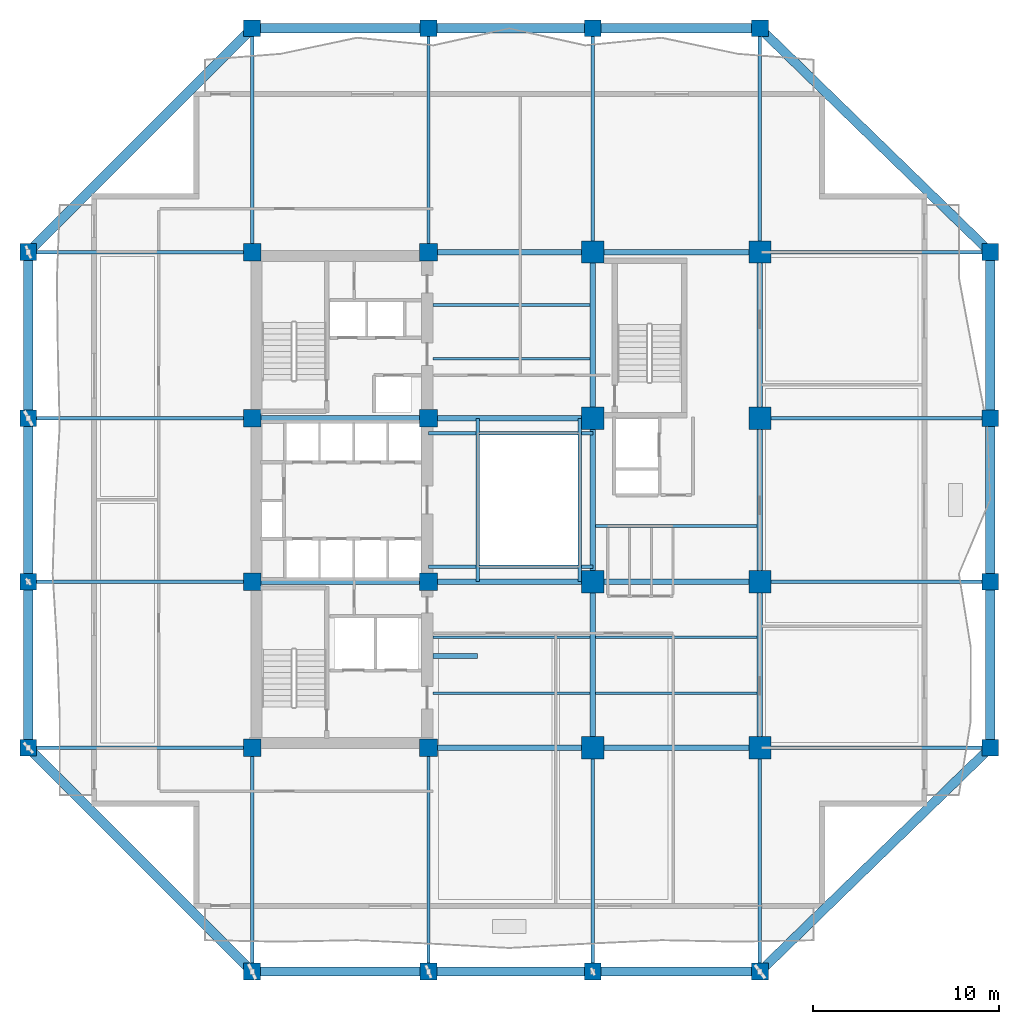
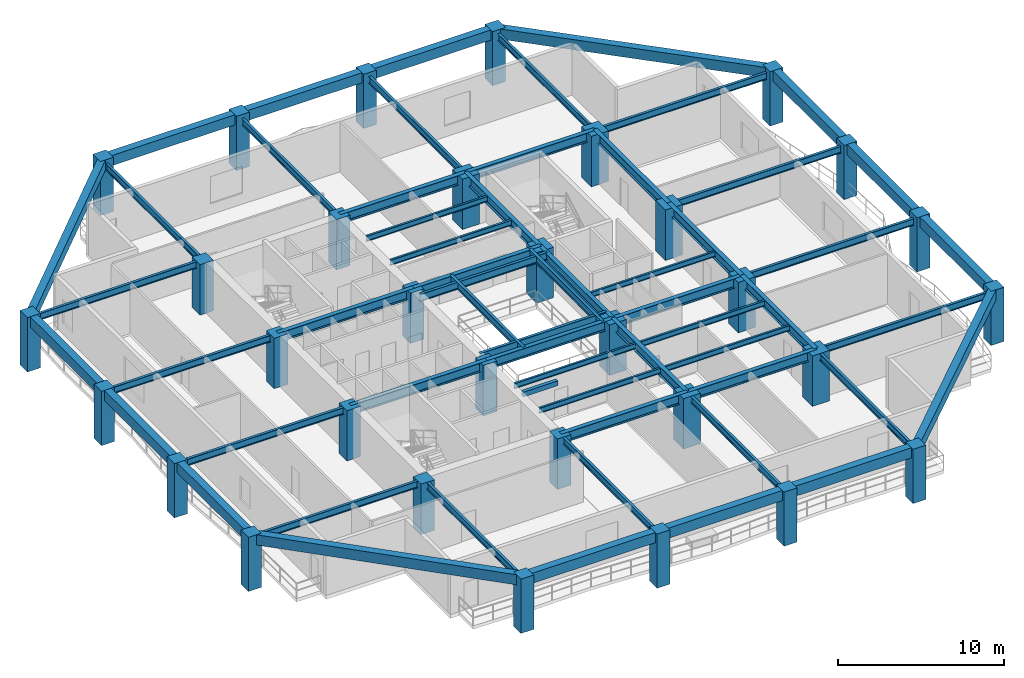
# One storey, part 1 of 12: 59 beams, 32 columns.
"""IFC4 building model written with IfcOpenShell, lengths in metres."""

from ifc_helpers import new_model, si_unit, direction, frame, origin, origin_2d, place, context, subcontext, project, spatial, rectangle, i_section, extrude, material, material_profile, profile_set, type_object, element, save


model = new_model("IFC4")

# Units and contexts
model_context = context("Model", 3, precision=1e-05, world=origin(), true_north=direction((0.0, 1.0)))
body_context = subcontext(model_context, "Body", "Model", "MODEL_VIEW")
ifc_project = project(units=[si_unit("LENGTHUNIT", "METRE"), si_unit("AREAUNIT", "SQUARE_METRE"), si_unit("VOLUMEUNIT", "CUBIC_METRE"), si_unit("PLANEANGLEUNIT", "RADIAN"), si_unit("MASSUNIT", "GRAM", prefix="KILO")], contexts=[model_context])

# Site, building, storey
site_placement = place(None, origin())
site = spatial("IfcSite", under=ifc_project, at=site_placement, CompositionType="ELEMENT")
building_placement = place(site_placement, origin())
building = spatial("IfcBuilding", under=site, at=building_placement, Name="Kundavana Baori Tower", CompositionType="ELEMENT")
storey_placement = place(building_placement, frame((0.0, 0.0, 38.0)))
storey = spatial("IfcBuildingStorey", under=building, at=storey_placement, Name="L08", CompositionType="ELEMENT", Elevation=38.0)

# Columns
ifc_material_1 = material(Name="Concrete C60/75", Category="concrete")
ifc_material_profile_1 = material_profile(ifc_material_1, rectangle(XDim=0.89990234375, YDim=0.89990234375, at=origin_2d()), Name="RC PF 900x900")
ifc_profile_set_1 = profile_set([ifc_material_profile_1], Name="Concrete C60/75")
column_type_1 = type_object("IfcColumnType", Name="COL-PF-900", PredefinedType="COLUMN", material=ifc_profile_set_1)
for number, where, z_axis, x_axis, name in (
    (1, (15.449951171875, 3.199951171875, 0.0), (0.0, 0.0, 1.0), (1.0, 0.0, 0.0), "L08 Stone-Clad Perimeter Frame Column PF-S1"),
    (2, (15.449951171875, 54.0, 0.0), (0.0, 0.0, 1.0), (1.0, 0.0, 0.0), "L08 Stone-Clad Perimeter Frame Column PF-N1"),
    (3, (24.949951171875, 3.199951171875, 0.0), (0.0, 0.0, 1.0), (1.0, 0.0, 0.0), "L08 Stone-Clad Perimeter Frame Column PF-S2"),
    (4, (24.949951171875, 54.0, 0.0), (0.0, 0.0, 1.0), (1.0, 0.0, 0.0), "L08 Stone-Clad Perimeter Frame Column PF-N2"),
    (5, (33.800048828125, 3.199951171875, 0.0), (0.0, 0.0, 1.0), (1.0, 0.0, 0.0), "L08 Stone-Clad Perimeter Frame Column PF-S3"),
    (6, (33.800048828125, 54.0, 0.0), (0.0, 0.0, 1.0), (1.0, 0.0, 0.0), "L08 Stone-Clad Perimeter Frame Column PF-N3"),
    (7, (42.800048828125, 3.199951171875, 0.0), (0.0, 0.0, 1.0), (1.0, 0.0, 0.0), "L08 Stone-Clad Perimeter Frame Column PF-S4"),
    (8, (42.800048828125, 54.0, 0.0), (0.0, 0.0, 1.0), (1.0, 0.0, 0.0), "L08 Stone-Clad Perimeter Frame Column PF-N4"),
    (9, (3.39990234375, 15.25, 0.0), (0.0, 0.0, 1.0), (1.0, 0.0, 0.0), "L08 Stone-Clad Perimeter Frame Column PF-W1"),
    (10, (55.199951171875, 15.25, 0.0), (0.0, 0.0, 1.0), (1.0, 0.0, 0.0), "L08 Stone-Clad Perimeter Frame Column PF-E1"),
    (11, (3.39990234375, 24.199951171875, 0.0), (0.0, 0.0, 1.0), (1.0, 0.0, 0.0), "L08 Stone-Clad Perimeter Frame Column PF-W2"),
    (12, (55.199951171875, 24.199951171875, 0.0), (0.0, 0.0, 1.0), (1.0, 0.0, 0.0), "L08 Stone-Clad Perimeter Frame Column PF-E2"),
    (13, (3.39990234375, 33.0, 0.0), (0.0, 0.0, 1.0), (1.0, 0.0, 0.0), "L08 Stone-Clad Perimeter Frame Column PF-W3"),
    (14, (55.199951171875, 33.0, 0.0), (0.0, 0.0, 1.0), (1.0, 0.0, 0.0), "L08 Stone-Clad Perimeter Frame Column PF-E3"),
    (15, (3.39990234375, 41.949951171875, 0.0), (0.0, 0.0, 1.0), (1.0, 0.0, 0.0), "L08 Stone-Clad Perimeter Frame Column PF-W4"),
    (16, (55.199951171875, 41.949951171875, 0.0), (0.0, 0.0, 1.0), (1.0, 0.0, 0.0), "L08 Stone-Clad Perimeter Frame Column PF-E4"),
):
    element("IfcColumn", number, at=place(storey_placement, frame(where, z_axis=z_axis, x_axis=x_axis)), inside=storey, type_object=column_type_1, Name=name, PredefinedType="COLUMN", context=body_context, shape_type="SweptSolid", body=[
        extrude(rectangle(XDim=0.89990234375, YDim=0.89990234375, at=origin_2d()), origin(), (0.0, 0.0, 1.0), 4.0),
    ])
ifc_material_2 = material(Name="Concrete C60/75", Category="concrete")
ifc_material_profile_2 = material_profile(ifc_material_2, rectangle(XDim=1.199951171875, YDim=1.199951171875, at=origin_2d()), Name="RC 1200x1200")
ifc_profile_set_2 = profile_set([ifc_material_profile_2], Name="Concrete C60/75")
column_type_2 = type_object("IfcColumnType", Name="COL-RC-1200", PredefinedType="COLUMN", material=ifc_profile_set_2)
for number, where, z_axis, x_axis, name in (
    (17, (33.800048828125, 15.25, 0.0), (0.0, 0.0, 1.0), (1.0, 0.0, 0.0), "L08 Interior Column IC-5C"),
    (18, (33.800048828125, 24.199951171875, 0.0), (0.0, 0.0, 1.0), (1.0, 0.0, 0.0), "L08 Interior Column IC-5D"),
    (19, (33.800048828125, 33.0, 0.0), (0.0, 0.0, 1.0), (1.0, 0.0, 0.0), "L08 Interior Column IC-5E"),
    (20, (33.800048828125, 41.949951171875, 0.0), (0.0, 0.0, 1.0), (1.0, 0.0, 0.0), "L08 Interior Column IC-5F"),
    (21, (42.800048828125, 15.25, 0.0), (0.0, 0.0, 1.0), (1.0, 0.0, 0.0), "L08 Interior Column IC-6C"),
    (22, (42.800048828125, 24.199951171875, 0.0), (0.0, 0.0, 1.0), (1.0, 0.0, 0.0), "L08 Interior Column IC-6D"),
    (23, (42.800048828125, 33.0, 0.0), (0.0, 0.0, 1.0), (1.0, 0.0, 0.0), "L08 Interior Column IC-6E"),
    (24, (42.800048828125, 41.949951171875, 0.0), (0.0, 0.0, 1.0), (1.0, 0.0, 0.0), "L08 Interior Column IC-6F"),
):
    element("IfcColumn", number, at=place(storey_placement, frame(where, z_axis=z_axis, x_axis=x_axis)), inside=storey, type_object=column_type_2, Name=name, PredefinedType="COLUMN", context=body_context, shape_type="SweptSolid", body=[
        extrude(rectangle(XDim=1.199951171875, YDim=1.199951171875, at=origin_2d()), origin(), (0.0, 0.0, 1.0), 3.719970703125),
    ])
ifc_material_3 = material(Name="Concrete C50/60", Category="concrete")
ifc_material_profile_3 = material_profile(ifc_material_3, rectangle(XDim=0.949951171875, YDim=0.949951171875, at=origin_2d()), Name="RC 950x950")
ifc_profile_set_3 = profile_set([ifc_material_profile_3], Name="Concrete C50/60")
column_type_3 = type_object("IfcColumnType", Name="COL-RC-950", PredefinedType="COLUMN", material=ifc_profile_set_3)
for number, where, z_axis, x_axis, name in (
    (25, (15.449951171875, 15.25, 0.0), (0.0, 0.0, 1.0), (1.0, 0.0, 0.0), "L08 Interior Column IC-3C"),
    (26, (15.449951171875, 24.199951171875, 0.0), (0.0, 0.0, 1.0), (1.0, 0.0, 0.0), "L08 Interior Column IC-3D"),
    (27, (15.449951171875, 33.0, 0.0), (0.0, 0.0, 1.0), (1.0, 0.0, 0.0), "L08 Interior Column IC-3E"),
    (28, (15.449951171875, 41.949951171875, 0.0), (0.0, 0.0, 1.0), (1.0, 0.0, 0.0), "L08 Interior Column IC-3F"),
    (29, (24.949951171875, 15.25, 0.0), (0.0, 0.0, 1.0), (1.0, 0.0, 0.0), "L08 Interior Column IC-4C"),
    (30, (24.949951171875, 24.199951171875, 0.0), (0.0, 0.0, 1.0), (1.0, 0.0, 0.0), "L08 Interior Column IC-4D"),
    (31, (24.949951171875, 33.0, 0.0), (0.0, 0.0, 1.0), (1.0, 0.0, 0.0), "L08 Interior Column IC-4E"),
    (32, (24.949951171875, 41.949951171875, 0.0), (0.0, 0.0, 1.0), (1.0, 0.0, 0.0), "L08 Interior Column IC-4F"),
):
    element("IfcColumn", number, at=place(storey_placement, frame(where, z_axis=z_axis, x_axis=x_axis)), inside=storey, type_object=column_type_3, Name=name, PredefinedType="COLUMN", context=body_context, shape_type="SweptSolid", body=[
        extrude(rectangle(XDim=0.949951171875, YDim=0.949951171875, at=origin_2d()), origin(), (0.0, 0.0, 1.0), 3.719970703125),
    ])

# Beams
ifc_material_4 = material(Name="Structural Steel S355JR", Category="steel")
ifc_material_profile_4 = material_profile(ifc_material_4, i_section(OverallWidth=0.139892578125, OverallDepth=0.39990234375, WebThickness=0.0087890625, FlangeThickness=0.01611328125, FilletRadius=0.013916015625, at=origin_2d()), Name="ISMB 400")
ifc_profile_set_4 = profile_set([ifc_material_profile_4], Name="Structural Steel S355JR")
beam_type_1 = type_object("IfcBeamType", Name="BM-JST-400", PredefinedType="JOIST", material=ifc_profile_set_4)
for number, where, z_axis, x_axis, name in (
    (33, (25.179931640625, 18.199951171875, 3.52001953125), (1.0, 0.0, 0.0), (0.0, 1.0, 0.0), "L08 Central Bay Composite Floor Joist C1"),
    (34, (25.179931640625, 21.199951171875, 3.52001953125), (1.0, 0.0, 0.0), (0.0, 1.0, 0.0), "L08 Central Bay Composite Floor Joist C2"),
    (35, (25.179931640625, 36.199951171875, 3.52001953125), (1.0, 0.0, 0.0), (0.0, 1.0, 0.0), "L08 Central Bay Composite Floor Joist C3"),
    (36, (25.179931640625, 39.10009765625, 3.52001953125), (1.0, 0.0, 0.0), (0.0, 1.0, 0.0), "L08 Central Bay Composite Floor Joist C4"),
):
    element("IfcBeam", number, at=place(storey_placement, frame(where, z_axis=z_axis, x_axis=x_axis)), inside=storey, type_object=beam_type_1, Name=name, PredefinedType="JOIST", context=body_context, shape_type="SweptSolid", body=[
        extrude(i_section(OverallWidth=0.139892578125, OverallDepth=0.39990234375, WebThickness=0.0087890625, FlangeThickness=0.01611328125, FilletRadius=0.013916015625, at=origin_2d()), origin(), (0.0, 0.0, 1.0), 8.469970703125),
    ])
for number, where, z_axis, x_axis, name in (
    (37, (33.949951171875, 18.199951171875, 3.52001953125), (1.0, 0.0, 0.0), (0.0, 1.0, 0.0), "L08 East Bay Composite Floor Joist E1"),
    (38, (33.949951171875, 21.199951171875, 3.52001953125), (1.0, 0.0, 0.0), (0.0, 1.0, 0.0), "L08 East Bay Composite Floor Joist E2"),
    (39, (33.949951171875, 27.199951171875, 3.52001953125), (1.0, 0.0, 0.0), (0.0, 1.0, 0.0), "L08 East Bay Composite Floor Joist E3"),
):
    element("IfcBeam", number, at=place(storey_placement, frame(where, z_axis=z_axis, x_axis=x_axis)), inside=storey, type_object=beam_type_1, Name=name, PredefinedType="JOIST", context=body_context, shape_type="SweptSolid", body=[
        extrude(i_section(OverallWidth=0.139892578125, OverallDepth=0.39990234375, WebThickness=0.0087890625, FlangeThickness=0.01611328125, FilletRadius=0.013916015625, at=origin_2d()), origin(), (0.0, 0.0, 1.0), 8.699951171875),
    ])
ifc_material_5 = material(Name="Concrete C40/50", Category="concrete")
ifc_material_profile_5 = material_profile(ifc_material_5, rectangle(XDim=0.25, YDim=0.35009765625, at=origin_2d()), Name="RC LNT 250x350")
ifc_profile_set_5 = profile_set([ifc_material_profile_5], Name="Concrete C40/50")
beam_type_2 = type_object("IfcBeamType", Name="BM-LNT-350", PredefinedType="LINTEL", material=ifc_profile_set_5)
beam_1_placement = place(storey_placement, frame((25.179931640625, 20.199951171875, 3.544921875), z_axis=(1.0, 0.0, 0.0), x_axis=(0.0, 1.0, 0.0)))
element("IfcBeam", 40, at=beam_1_placement, inside=storey, type_object=beam_type_2, Name="L08 Atrium Gallery Portal Lintel Beam", PredefinedType="LINTEL", context=body_context, shape_type="SweptSolid", body=[
    extrude(rectangle(XDim=0.25, YDim=0.35009765625, at=origin_2d()), origin(), (0.0, 0.0, 1.0), 2.420166015625),
])
ifc_material_6 = material(Name="Concrete C50/60", Category="concrete")
ifc_material_profile_6 = material_profile(ifc_material_6, rectangle(XDim=0.5, YDim=0.75, at=origin_2d()), Name="RC BM 500x750")
ifc_profile_set_6 = profile_set([ifc_material_profile_6], Name="Concrete C50/60")
beam_type_3 = type_object("IfcBeamType", Name="BM-PF-750", PredefinedType="SPANDREL", material=ifc_profile_set_6)
beam_2_placement = place(storey_placement, frame((15.449951171875, 3.199951171875, 3.625), z_axis=(1.0, 0.0, 0.0), x_axis=(0.0, 1.0, 0.0)))
element("IfcBeam", 41, at=beam_2_placement, inside=storey, type_object=beam_type_3, Name="L08 Perimeter Frame Ring Beam S1", PredefinedType="SPANDREL", context=body_context, shape_type="SweptSolid", body=[
    extrude(rectangle(XDim=0.5, YDim=0.75, at=origin_2d()), origin(), (0.0, 0.0, 1.0), 9.5),
])
beam_3_placement = place(storey_placement, frame((24.949951171875, 3.199951171875, 3.625), z_axis=(1.0, 0.0, 0.0), x_axis=(0.0, 1.0, 0.0)))
element("IfcBeam", 42, at=beam_3_placement, inside=storey, type_object=beam_type_3, Name="L08 Perimeter Frame Ring Beam S2", PredefinedType="SPANDREL", context=body_context, shape_type="SweptSolid", body=[
    extrude(rectangle(XDim=0.5, YDim=0.75, at=origin_2d()), origin(), (0.0, 0.0, 1.0), 8.85009765625),
])
beam_4_placement = place(storey_placement, frame((33.800048828125, 3.199951171875, 3.625), z_axis=(1.0, 0.0, 0.0), x_axis=(0.0, 1.0, 0.0)))
element("IfcBeam", 43, at=beam_4_placement, inside=storey, type_object=beam_type_3, Name="L08 Perimeter Frame Ring Beam S3", PredefinedType="SPANDREL", context=body_context, shape_type="SweptSolid", body=[
    extrude(rectangle(XDim=0.5, YDim=0.75, at=origin_2d()), origin(), (0.0, 0.0, 1.0), 9.0),
])
beam_5_placement = place(storey_placement, frame((15.449951171875, 54.0, 3.625), z_axis=(1.0, 0.0, 0.0), x_axis=(0.0, 1.0, 0.0)))
element("IfcBeam", 44, at=beam_5_placement, inside=storey, type_object=beam_type_3, Name="L08 Perimeter Frame Ring Beam N1", PredefinedType="SPANDREL", context=body_context, shape_type="SweptSolid", body=[
    extrude(rectangle(XDim=0.5, YDim=0.75, at=origin_2d()), origin(), (0.0, 0.0, 1.0), 9.5),
])
beam_6_placement = place(storey_placement, frame((24.949951171875, 54.0, 3.625), z_axis=(1.0, 0.0, 0.0), x_axis=(0.0, 1.0, 0.0)))
element("IfcBeam", 45, at=beam_6_placement, inside=storey, type_object=beam_type_3, Name="L08 Perimeter Frame Ring Beam N2", PredefinedType="SPANDREL", context=body_context, shape_type="SweptSolid", body=[
    extrude(rectangle(XDim=0.5, YDim=0.75, at=origin_2d()), origin(), (0.0, 0.0, 1.0), 8.85009765625),
])
beam_7_placement = place(storey_placement, frame((33.800048828125, 54.0, 3.625), z_axis=(1.0, 0.0, 0.0), x_axis=(0.0, 1.0, 0.0)))
element("IfcBeam", 46, at=beam_7_placement, inside=storey, type_object=beam_type_3, Name="L08 Perimeter Frame Ring Beam N3", PredefinedType="SPANDREL", context=body_context, shape_type="SweptSolid", body=[
    extrude(rectangle(XDim=0.5, YDim=0.75, at=origin_2d()), origin(), (0.0, 0.0, 1.0), 9.0),
])
beam_8_placement = place(storey_placement, frame((3.39990234375, 15.25, 3.625), z_axis=(0.0, 1.0, 0.0), x_axis=(-1.0, 0.0, 0.0)))
element("IfcBeam", 47, at=beam_8_placement, inside=storey, type_object=beam_type_3, Name="L08 Perimeter Frame Ring Beam W1", PredefinedType="SPANDREL", context=body_context, shape_type="SweptSolid", body=[
    extrude(rectangle(XDim=0.5, YDim=0.75, at=origin_2d()), origin(), (0.0, 0.0, 1.0), 8.949951171875),
])
beam_9_placement = place(storey_placement, frame((3.39990234375, 24.199951171875, 3.625), z_axis=(0.0, 1.0, 0.0), x_axis=(-1.0, 0.0, 0.0)))
element("IfcBeam", 48, at=beam_9_placement, inside=storey, type_object=beam_type_3, Name="L08 Perimeter Frame Ring Beam W2", PredefinedType="SPANDREL", context=body_context, shape_type="SweptSolid", body=[
    extrude(rectangle(XDim=0.5, YDim=0.75, at=origin_2d()), origin(), (0.0, 0.0, 1.0), 8.800048828125),
])
for number, where, z_axis, x_axis, name in (
    (49, (3.39990234375, 33.0, 3.625), (0.0, 1.0, 0.0), (-1.0, 0.0, 0.0), "L08 Perimeter Frame Ring Beam W3"),
    (50, (55.199951171875, 15.25, 3.625), (0.0, 1.0, 0.0), (-1.0, 0.0, 0.0), "L08 Perimeter Frame Ring Beam E1"),
):
    element("IfcBeam", number, at=place(storey_placement, frame(where, z_axis=z_axis, x_axis=x_axis)), inside=storey, type_object=beam_type_3, Name=name, PredefinedType="SPANDREL", context=body_context, shape_type="SweptSolid", body=[
        extrude(rectangle(XDim=0.5, YDim=0.75, at=origin_2d()), origin(), (0.0, 0.0, 1.0), 8.949951171875),
    ])
beam_10_placement = place(storey_placement, frame((55.199951171875, 24.199951171875, 3.625), z_axis=(0.0, 1.0, 0.0), x_axis=(-1.0, 0.0, 0.0)))
element("IfcBeam", 51, at=beam_10_placement, inside=storey, type_object=beam_type_3, Name="L08 Perimeter Frame Ring Beam E2", PredefinedType="SPANDREL", context=body_context, shape_type="SweptSolid", body=[
    extrude(rectangle(XDim=0.5, YDim=0.75, at=origin_2d()), origin(), (0.0, 0.0, 1.0), 8.800048828125),
])
beam_11_placement = place(storey_placement, frame((55.199951171875, 33.0, 3.625), z_axis=(0.0, 1.0, 0.0), x_axis=(-1.0, 0.0, 0.0)))
element("IfcBeam", 52, at=beam_11_placement, inside=storey, type_object=beam_type_3, Name="L08 Perimeter Frame Ring Beam E3", PredefinedType="SPANDREL", context=body_context, shape_type="SweptSolid", body=[
    extrude(rectangle(XDim=0.5, YDim=0.75, at=origin_2d()), origin(), (0.0, 0.0, 1.0), 8.949951171875),
])
beam_12_placement = place(storey_placement, frame((15.449951171875, 3.199951171875, 3.625), z_axis=(-0.707106781187, 0.707106781187, 0.0), x_axis=(-0.707106781187, -0.707106781187, 0.0)))
element("IfcBeam", 53, at=beam_12_placement, inside=storey, type_object=beam_type_3, Name="L08 Notched Corner Perimeter Beam SW", PredefinedType="SPANDREL", context=body_context, shape_type="SweptSolid", body=[
    extrude(rectangle(XDim=0.5, YDim=0.75, at=origin_2d()), origin(), (0.0, 0.0, 1.0), 17.041259765625),
])
beam_13_placement = place(storey_placement, frame((42.800048828125, 3.199951171875, 3.625), z_axis=(0.717151334594, 0.696917472367, 0.0), x_axis=(-0.696917472367, 0.717151334594, 0.0)))
element("IfcBeam", 54, at=beam_13_placement, inside=storey, type_object=beam_type_3, Name="L08 Notched Corner Perimeter Beam SE", PredefinedType="SPANDREL", context=body_context, shape_type="SweptSolid", body=[
    extrude(rectangle(XDim=0.5, YDim=0.75, at=origin_2d()), origin(), (0.0, 0.0, 1.0), 17.29052734375),
])
beam_14_placement = place(storey_placement, frame((15.449951171875, 54.0, 3.625), z_axis=(-0.707106781187, -0.707106781187, 0.0), x_axis=(0.707106781187, -0.707106781187, 0.0)))
element("IfcBeam", 55, at=beam_14_placement, inside=storey, type_object=beam_type_3, Name="L08 Notched Corner Perimeter Beam NW", PredefinedType="SPANDREL", context=body_context, shape_type="SweptSolid", body=[
    extrude(rectangle(XDim=0.5, YDim=0.75, at=origin_2d()), origin(), (0.0, 0.0, 1.0), 17.041259765625),
])
beam_15_placement = place(storey_placement, frame((42.800048828125, 54.0, 3.625), z_axis=(0.717151334594, -0.696917472367, 0.0), x_axis=(0.696917472367, 0.717151334594, 0.0)))
element("IfcBeam", 56, at=beam_15_placement, inside=storey, type_object=beam_type_3, Name="L08 Notched Corner Perimeter Beam NE", PredefinedType="SPANDREL", context=body_context, shape_type="SweptSolid", body=[
    extrude(rectangle(XDim=0.5, YDim=0.75, at=origin_2d()), origin(), (0.0, 0.0, 1.0), 17.29052734375),
])
ifc_material_7 = material(Name="Structural Steel S355JR", Category="steel")
ifc_material_profile_7 = material_profile(ifc_material_7, i_section(OverallWidth=0.18994140625, OverallDepth=0.550048828125, WebThickness=0.01123046875, FlangeThickness=0.019287109375, FilletRadius=0.01806640625, at=origin_2d()), Name="ISMB 550")
ifc_profile_set_7 = profile_set([ifc_material_profile_7], Name="Structural Steel S355JR")
beam_type_4 = type_object("IfcBeamType", Name="BM-ST-550", PredefinedType="BEAM", material=ifc_profile_set_7)
for number, where, z_axis, x_axis, name in (
    (57, (27.60009765625, 24.199951171875, 3.445068359375), (0.0, 1.0, 0.0), (-1.0, 0.0, 0.0), "L08 Atrium West Edge Beam"),
    (58, (33.10009765625, 24.199951171875, 3.445068359375), (0.0, 1.0, 0.0), (-1.0, 0.0, 0.0), "L08 Atrium East Edge Beam"),
):
    element("IfcBeam", number, at=place(storey_placement, frame(where, z_axis=z_axis, x_axis=x_axis)), inside=storey, type_object=beam_type_4, Name=name, PredefinedType="BEAM", context=body_context, shape_type="SweptSolid", body=[
        extrude(i_section(OverallWidth=0.18994140625, OverallDepth=0.550048828125, WebThickness=0.01123046875, FlangeThickness=0.019287109375, FilletRadius=0.01806640625, at=origin_2d()), origin(), (0.0, 0.0, 1.0), 8.800048828125),
    ])
for number, where, z_axis, x_axis, name in (
    (59, (24.949951171875, 25.0, 3.445068359375), (1.0, 0.0, 0.0), (0.0, 1.0, 0.0), "L08 Atrium South Edge Beam"),
    (60, (24.949951171875, 32.199951171875, 3.445068359375), (1.0, 0.0, 0.0), (0.0, 1.0, 0.0), "L08 Atrium North Edge Beam"),
):
    element("IfcBeam", number, at=place(storey_placement, frame(where, z_axis=z_axis, x_axis=x_axis)), inside=storey, type_object=beam_type_4, Name=name, PredefinedType="BEAM", context=body_context, shape_type="SweptSolid", body=[
        extrude(i_section(OverallWidth=0.18994140625, OverallDepth=0.550048828125, WebThickness=0.01123046875, FlangeThickness=0.019287109375, FilletRadius=0.01806640625, at=origin_2d()), origin(), (0.0, 0.0, 1.0), 8.85009765625),
    ])
ifc_material_8 = material(Name="Structural Steel S355JR", Category="steel")
ifc_material_profile_8 = material_profile(ifc_material_8, i_section(OverallWidth=0.300048828125, OverallDepth=0.699951171875, WebThickness=0.014404296875, FlangeThickness=0.02392578125, FilletRadius=0.02392578125, at=origin_2d()), Name="NPB 700x300x170")
ifc_profile_set_8 = profile_set([ifc_material_profile_8], Name="Structural Steel S355JR")
beam_type_5 = type_object("IfcBeamType", Name="BM-ST-700", PredefinedType="BEAM", material=ifc_profile_set_8)
beam_16_placement = place(storey_placement, frame((24.949951171875, 15.25, 3.3701171875), z_axis=(1.0, 0.0, 0.0), x_axis=(0.0, 1.0, 0.0)))
element("IfcBeam", 61, at=beam_16_placement, inside=storey, type_object=beam_type_5, Name="L08 Primary Grid Girder GX-1-2", PredefinedType="BEAM", context=body_context, shape_type="SweptSolid", body=[
    extrude(i_section(OverallWidth=0.300048828125, OverallDepth=0.699951171875, WebThickness=0.014404296875, FlangeThickness=0.02392578125, FilletRadius=0.02392578125, at=origin_2d()), origin(), (0.0, 0.0, 1.0), 8.85009765625),
])
beam_17_placement = place(storey_placement, frame((33.800048828125, 15.25, 3.3701171875), z_axis=(1.0, 0.0, 0.0), x_axis=(0.0, 1.0, 0.0)))
element("IfcBeam", 62, at=beam_17_placement, inside=storey, type_object=beam_type_5, Name="L08 Primary Grid Girder GX-1-3", PredefinedType="BEAM", context=body_context, shape_type="SweptSolid", body=[
    extrude(i_section(OverallWidth=0.300048828125, OverallDepth=0.699951171875, WebThickness=0.014404296875, FlangeThickness=0.02392578125, FilletRadius=0.02392578125, at=origin_2d()), origin(), (0.0, 0.0, 1.0), 9.0),
])
beam_18_placement = place(storey_placement, frame((15.449951171875, 24.199951171875, 3.3701171875), z_axis=(1.0, 0.0, 0.0), x_axis=(0.0, 1.0, 0.0)))
element("IfcBeam", 63, at=beam_18_placement, inside=storey, type_object=beam_type_5, Name="L08 Primary Grid Girder GX-2-1", PredefinedType="BEAM", context=body_context, shape_type="SweptSolid", body=[
    extrude(i_section(OverallWidth=0.300048828125, OverallDepth=0.699951171875, WebThickness=0.014404296875, FlangeThickness=0.02392578125, FilletRadius=0.02392578125, at=origin_2d()), origin(), (0.0, 0.0, 1.0), 9.5),
])
beam_19_placement = place(storey_placement, frame((24.949951171875, 24.199951171875, 3.3701171875), z_axis=(1.0, 0.0, 0.0), x_axis=(0.0, 1.0, 0.0)))
element("IfcBeam", 64, at=beam_19_placement, inside=storey, type_object=beam_type_5, Name="L08 Primary Grid Girder GX-2-2", PredefinedType="BEAM", context=body_context, shape_type="SweptSolid", body=[
    extrude(i_section(OverallWidth=0.300048828125, OverallDepth=0.699951171875, WebThickness=0.014404296875, FlangeThickness=0.02392578125, FilletRadius=0.02392578125, at=origin_2d()), origin(), (0.0, 0.0, 1.0), 8.85009765625),
])
beam_20_placement = place(storey_placement, frame((33.800048828125, 24.199951171875, 3.3701171875), z_axis=(1.0, 0.0, 0.0), x_axis=(0.0, 1.0, 0.0)))
element("IfcBeam", 65, at=beam_20_placement, inside=storey, type_object=beam_type_5, Name="L08 Primary Grid Girder GX-2-3", PredefinedType="BEAM", context=body_context, shape_type="SweptSolid", body=[
    extrude(i_section(OverallWidth=0.300048828125, OverallDepth=0.699951171875, WebThickness=0.014404296875, FlangeThickness=0.02392578125, FilletRadius=0.02392578125, at=origin_2d()), origin(), (0.0, 0.0, 1.0), 9.0),
])
beam_21_placement = place(storey_placement, frame((15.449951171875, 33.0, 3.3701171875), z_axis=(1.0, 0.0, 0.0), x_axis=(0.0, 1.0, 0.0)))
element("IfcBeam", 66, at=beam_21_placement, inside=storey, type_object=beam_type_5, Name="L08 Primary Grid Girder GX-3-1", PredefinedType="BEAM", context=body_context, shape_type="SweptSolid", body=[
    extrude(i_section(OverallWidth=0.300048828125, OverallDepth=0.699951171875, WebThickness=0.014404296875, FlangeThickness=0.02392578125, FilletRadius=0.02392578125, at=origin_2d()), origin(), (0.0, 0.0, 1.0), 9.5),
])
for number, where, z_axis, x_axis, name in (
    (67, (24.949951171875, 33.0, 3.3701171875), (1.0, 0.0, 0.0), (0.0, 1.0, 0.0), "L08 Primary Grid Girder GX-3-2"),
    (68, (24.949951171875, 41.949951171875, 3.3701171875), (1.0, 0.0, 0.0), (0.0, 1.0, 0.0), "L08 Primary Grid Girder GX-4-2"),
):
    element("IfcBeam", number, at=place(storey_placement, frame(where, z_axis=z_axis, x_axis=x_axis)), inside=storey, type_object=beam_type_5, Name=name, PredefinedType="BEAM", context=body_context, shape_type="SweptSolid", body=[
        extrude(i_section(OverallWidth=0.300048828125, OverallDepth=0.699951171875, WebThickness=0.014404296875, FlangeThickness=0.02392578125, FilletRadius=0.02392578125, at=origin_2d()), origin(), (0.0, 0.0, 1.0), 8.85009765625),
    ])
beam_22_placement = place(storey_placement, frame((33.800048828125, 41.949951171875, 3.3701171875), z_axis=(1.0, 0.0, 0.0), x_axis=(0.0, 1.0, 0.0)))
element("IfcBeam", 69, at=beam_22_placement, inside=storey, type_object=beam_type_5, Name="L08 Primary Grid Girder GX-4-3", PredefinedType="BEAM", context=body_context, shape_type="SweptSolid", body=[
    extrude(i_section(OverallWidth=0.300048828125, OverallDepth=0.699951171875, WebThickness=0.014404296875, FlangeThickness=0.02392578125, FilletRadius=0.02392578125, at=origin_2d()), origin(), (0.0, 0.0, 1.0), 9.0),
])
beam_23_placement = place(storey_placement, frame((33.800048828125, 15.25, 3.3701171875), z_axis=(0.0, 1.0, 0.0), x_axis=(-1.0, 0.0, 0.0)))
element("IfcBeam", 70, at=beam_23_placement, inside=storey, type_object=beam_type_5, Name="L08 Primary Grid Girder GY-3-1", PredefinedType="BEAM", context=body_context, shape_type="SweptSolid", body=[
    extrude(i_section(OverallWidth=0.300048828125, OverallDepth=0.699951171875, WebThickness=0.014404296875, FlangeThickness=0.02392578125, FilletRadius=0.02392578125, at=origin_2d()), origin(), (0.0, 0.0, 1.0), 8.949951171875),
])
beam_24_placement = place(storey_placement, frame((33.800048828125, 24.199951171875, 3.3701171875), z_axis=(0.0, 1.0, 0.0), x_axis=(-1.0, 0.0, 0.0)))
element("IfcBeam", 71, at=beam_24_placement, inside=storey, type_object=beam_type_5, Name="L08 Primary Grid Girder GY-3-2", PredefinedType="BEAM", context=body_context, shape_type="SweptSolid", body=[
    extrude(i_section(OverallWidth=0.300048828125, OverallDepth=0.699951171875, WebThickness=0.014404296875, FlangeThickness=0.02392578125, FilletRadius=0.02392578125, at=origin_2d()), origin(), (0.0, 0.0, 1.0), 8.800048828125),
])
for number, where, z_axis, x_axis, name in (
    (72, (33.800048828125, 33.0, 3.3701171875), (0.0, 1.0, 0.0), (-1.0, 0.0, 0.0), "L08 Primary Grid Girder GY-3-3"),
    (73, (42.800048828125, 15.25, 3.3701171875), (0.0, 1.0, 0.0), (-1.0, 0.0, 0.0), "L08 Primary Grid Girder GY-4-1"),
):
    element("IfcBeam", number, at=place(storey_placement, frame(where, z_axis=z_axis, x_axis=x_axis)), inside=storey, type_object=beam_type_5, Name=name, PredefinedType="BEAM", context=body_context, shape_type="SweptSolid", body=[
        extrude(i_section(OverallWidth=0.300048828125, OverallDepth=0.699951171875, WebThickness=0.014404296875, FlangeThickness=0.02392578125, FilletRadius=0.02392578125, at=origin_2d()), origin(), (0.0, 0.0, 1.0), 8.949951171875),
    ])
beam_25_placement = place(storey_placement, frame((42.800048828125, 24.199951171875, 3.3701171875), z_axis=(0.0, 1.0, 0.0), x_axis=(-1.0, 0.0, 0.0)))
element("IfcBeam", 74, at=beam_25_placement, inside=storey, type_object=beam_type_5, Name="L08 Primary Grid Girder GY-4-2", PredefinedType="BEAM", context=body_context, shape_type="SweptSolid", body=[
    extrude(i_section(OverallWidth=0.300048828125, OverallDepth=0.699951171875, WebThickness=0.014404296875, FlangeThickness=0.02392578125, FilletRadius=0.02392578125, at=origin_2d()), origin(), (0.0, 0.0, 1.0), 8.800048828125),
])
beam_26_placement = place(storey_placement, frame((42.800048828125, 33.0, 3.3701171875), z_axis=(0.0, 1.0, 0.0), x_axis=(-1.0, 0.0, 0.0)))
element("IfcBeam", 75, at=beam_26_placement, inside=storey, type_object=beam_type_5, Name="L08 Primary Grid Girder GY-4-3", PredefinedType="BEAM", context=body_context, shape_type="SweptSolid", body=[
    extrude(i_section(OverallWidth=0.300048828125, OverallDepth=0.699951171875, WebThickness=0.014404296875, FlangeThickness=0.02392578125, FilletRadius=0.02392578125, at=origin_2d()), origin(), (0.0, 0.0, 1.0), 8.949951171875),
])
ifc_material_9 = material(Name="Structural Steel S355JR", Category="steel")
ifc_material_profile_9 = material_profile(ifc_material_9, i_section(OverallWidth=0.179931640625, OverallDepth=0.5, WebThickness=0.01025390625, FlangeThickness=0.01708984375, FilletRadius=0.01708984375, at=origin_2d()), Name="ISMB 500")
ifc_profile_set_9 = profile_set([ifc_material_profile_9], Name="Structural Steel S355JR")
beam_type_6 = type_object("IfcBeamType", Name="BM-TIE-500", PredefinedType="BEAM", material=ifc_profile_set_9)
for number, where, z_axis, x_axis, name in (
    (76, (15.449951171875, 15.25, 3.469970703125), (0.0, -1.0, 0.0), (1.0, 0.0, 0.0), "L08 South Radial Loggia Tie Beam S1"),
    (77, (15.449951171875, 41.949951171875, 3.469970703125), (0.0, 1.0, 0.0), (-1.0, 0.0, 0.0), "L08 North Radial Loggia Tie Beam N1"),
    (78, (24.949951171875, 15.25, 3.469970703125), (0.0, -1.0, 0.0), (1.0, 0.0, 0.0), "L08 South Radial Loggia Tie Beam S2"),
    (79, (24.949951171875, 41.949951171875, 3.469970703125), (0.0, 1.0, 0.0), (-1.0, 0.0, 0.0), "L08 North Radial Loggia Tie Beam N2"),
    (80, (33.800048828125, 15.25, 3.469970703125), (0.0, -1.0, 0.0), (1.0, 0.0, 0.0), "L08 South Radial Loggia Tie Beam S3"),
    (81, (33.800048828125, 41.949951171875, 3.469970703125), (0.0, 1.0, 0.0), (-1.0, 0.0, 0.0), "L08 North Radial Loggia Tie Beam N3"),
    (82, (42.800048828125, 15.25, 3.469970703125), (0.0, -1.0, 0.0), (1.0, 0.0, 0.0), "L08 South Radial Loggia Tie Beam S4"),
    (83, (42.800048828125, 41.949951171875, 3.469970703125), (0.0, 1.0, 0.0), (-1.0, 0.0, 0.0), "L08 North Radial Loggia Tie Beam N4"),
    (84, (15.449951171875, 15.25, 3.469970703125), (-1.0, 0.0, 0.0), (0.0, -1.0, 0.0), "L08 West Radial Loggia Tie Beam W1"),
):
    element("IfcBeam", number, at=place(storey_placement, frame(where, z_axis=z_axis, x_axis=x_axis)), inside=storey, type_object=beam_type_6, Name=name, PredefinedType="BEAM", context=body_context, shape_type="SweptSolid", body=[
        extrude(i_section(OverallWidth=0.179931640625, OverallDepth=0.5, WebThickness=0.01025390625, FlangeThickness=0.01708984375, FilletRadius=0.01708984375, at=origin_2d()), origin(), (0.0, 0.0, 1.0), 12.050048828125),
    ])
beam_27_placement = place(storey_placement, frame((42.800048828125, 15.25, 3.469970703125), z_axis=(1.0, 0.0, 0.0), x_axis=(0.0, 1.0, 0.0)))
element("IfcBeam", 85, at=beam_27_placement, inside=storey, type_object=beam_type_6, Name="L08 East Radial Loggia Tie Beam E1", PredefinedType="BEAM", context=body_context, shape_type="SweptSolid", body=[
    extrude(i_section(OverallWidth=0.179931640625, OverallDepth=0.5, WebThickness=0.01025390625, FlangeThickness=0.01708984375, FilletRadius=0.01708984375, at=origin_2d()), origin(), (0.0, 0.0, 1.0), 12.39990234375),
])
beam_28_placement = place(storey_placement, frame((15.449951171875, 24.199951171875, 3.469970703125), z_axis=(-1.0, 0.0, 0.0), x_axis=(0.0, -1.0, 0.0)))
element("IfcBeam", 86, at=beam_28_placement, inside=storey, type_object=beam_type_6, Name="L08 West Radial Loggia Tie Beam W2", PredefinedType="BEAM", context=body_context, shape_type="SweptSolid", body=[
    extrude(i_section(OverallWidth=0.179931640625, OverallDepth=0.5, WebThickness=0.01025390625, FlangeThickness=0.01708984375, FilletRadius=0.01708984375, at=origin_2d()), origin(), (0.0, 0.0, 1.0), 12.050048828125),
])
beam_29_placement = place(storey_placement, frame((42.800048828125, 24.199951171875, 3.469970703125), z_axis=(1.0, 0.0, 0.0), x_axis=(0.0, 1.0, 0.0)))
element("IfcBeam", 87, at=beam_29_placement, inside=storey, type_object=beam_type_6, Name="L08 East Radial Loggia Tie Beam E2", PredefinedType="BEAM", context=body_context, shape_type="SweptSolid", body=[
    extrude(i_section(OverallWidth=0.179931640625, OverallDepth=0.5, WebThickness=0.01025390625, FlangeThickness=0.01708984375, FilletRadius=0.01708984375, at=origin_2d()), origin(), (0.0, 0.0, 1.0), 12.39990234375),
])
beam_30_placement = place(storey_placement, frame((15.449951171875, 33.0, 3.469970703125), z_axis=(-1.0, 0.0, 0.0), x_axis=(0.0, -1.0, 0.0)))
element("IfcBeam", 88, at=beam_30_placement, inside=storey, type_object=beam_type_6, Name="L08 West Radial Loggia Tie Beam W3", PredefinedType="BEAM", context=body_context, shape_type="SweptSolid", body=[
    extrude(i_section(OverallWidth=0.179931640625, OverallDepth=0.5, WebThickness=0.01025390625, FlangeThickness=0.01708984375, FilletRadius=0.01708984375, at=origin_2d()), origin(), (0.0, 0.0, 1.0), 12.050048828125),
])
beam_31_placement = place(storey_placement, frame((42.800048828125, 33.0, 3.469970703125), z_axis=(1.0, 0.0, 0.0), x_axis=(0.0, 1.0, 0.0)))
element("IfcBeam", 89, at=beam_31_placement, inside=storey, type_object=beam_type_6, Name="L08 East Radial Loggia Tie Beam E3", PredefinedType="BEAM", context=body_context, shape_type="SweptSolid", body=[
    extrude(i_section(OverallWidth=0.179931640625, OverallDepth=0.5, WebThickness=0.01025390625, FlangeThickness=0.01708984375, FilletRadius=0.01708984375, at=origin_2d()), origin(), (0.0, 0.0, 1.0), 12.39990234375),
])
beam_32_placement = place(storey_placement, frame((15.449951171875, 41.949951171875, 3.469970703125), z_axis=(-1.0, 0.0, 0.0), x_axis=(0.0, -1.0, 0.0)))
element("IfcBeam", 90, at=beam_32_placement, inside=storey, type_object=beam_type_6, Name="L08 West Radial Loggia Tie Beam W4", PredefinedType="BEAM", context=body_context, shape_type="SweptSolid", body=[
    extrude(i_section(OverallWidth=0.179931640625, OverallDepth=0.5, WebThickness=0.01025390625, FlangeThickness=0.01708984375, FilletRadius=0.01708984375, at=origin_2d()), origin(), (0.0, 0.0, 1.0), 12.050048828125),
])
beam_33_placement = place(storey_placement, frame((42.800048828125, 41.949951171875, 3.469970703125), z_axis=(1.0, 0.0, 0.0), x_axis=(0.0, 1.0, 0.0)))
element("IfcBeam", 91, at=beam_33_placement, inside=storey, type_object=beam_type_6, Name="L08 East Radial Loggia Tie Beam E4", PredefinedType="BEAM", context=body_context, shape_type="SweptSolid", body=[
    extrude(i_section(OverallWidth=0.179931640625, OverallDepth=0.5, WebThickness=0.01025390625, FlangeThickness=0.01708984375, FilletRadius=0.01708984375, at=origin_2d()), origin(), (0.0, 0.0, 1.0), 12.39990234375),
])

save(model, "model.ifc")
